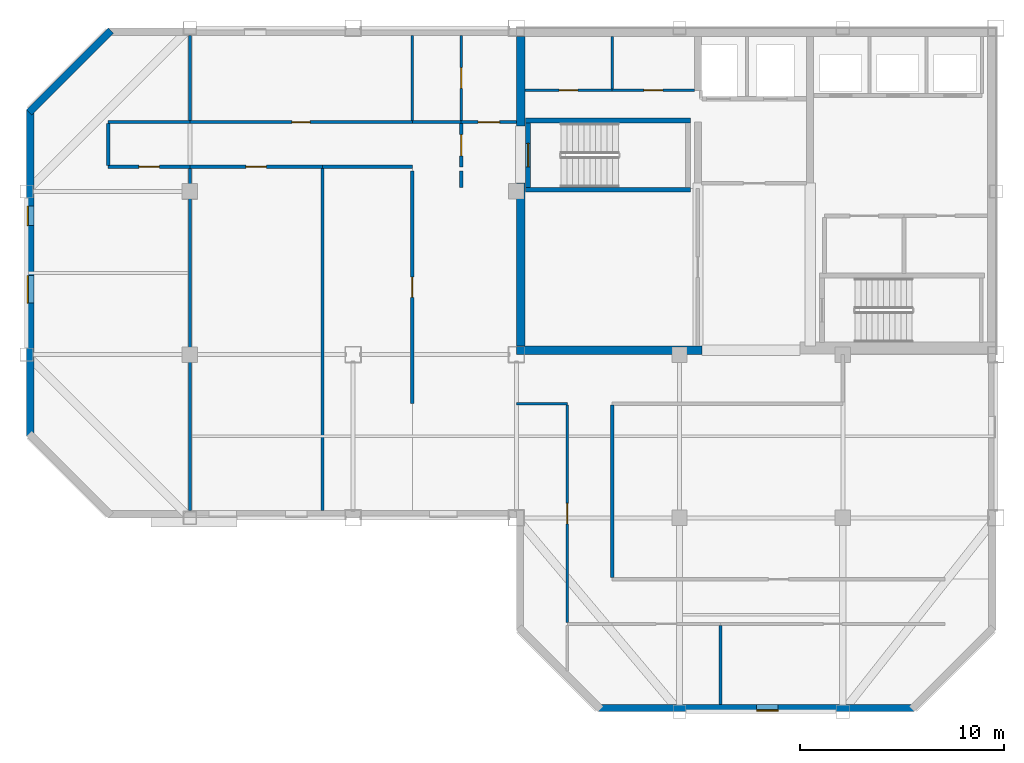
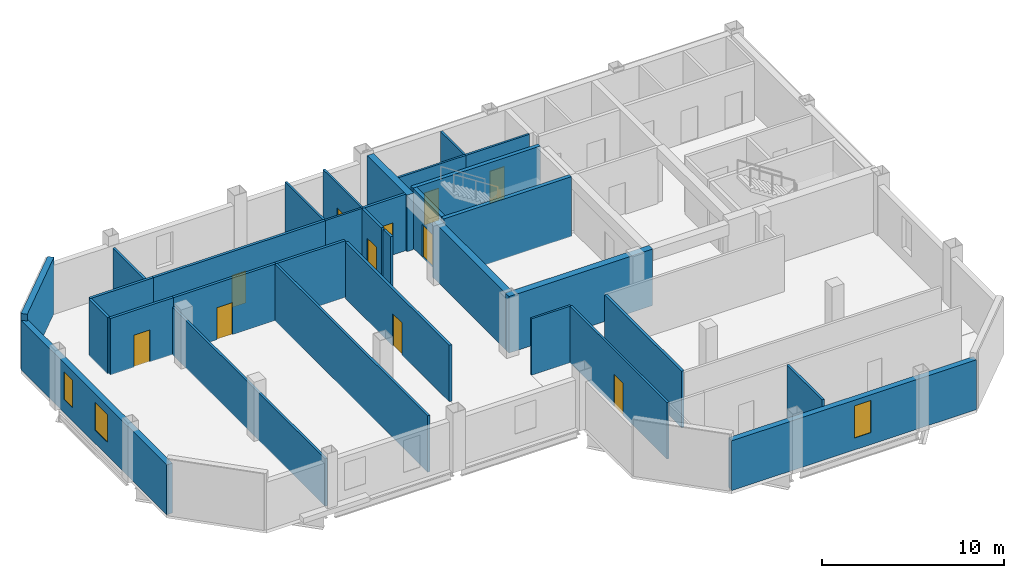
# One storey, part 2 of 7: 32 walls, 11 doors, 3 windows, 14 openings.
"""IFC4 building model written with IfcOpenShell, lengths in metres."""

from ifc_helpers import new_model, si_unit, direction, frame, frame_2d, origin, place, context, subcontext, project, spatial, rectangle, extrude, material, layer, layer_set, type_object, element, fill, save


model = new_model("IFC4")

# Units and contexts
model_context = context("Model", 3, precision=1e-05, world=origin(), true_north=direction((0.0, 1.0)))
body_context = subcontext(model_context, "Body", "Model", "MODEL_VIEW")
ifc_project = project(units=[si_unit("LENGTHUNIT", "METRE"), si_unit("AREAUNIT", "SQUARE_METRE"), si_unit("VOLUMEUNIT", "CUBIC_METRE"), si_unit("PLANEANGLEUNIT", "RADIAN"), si_unit("MASSUNIT", "GRAM", prefix="KILO")], contexts=[model_context])

# Site, building, storey
site_placement = place(None, origin())
site = spatial("IfcSite", under=ifc_project, at=site_placement, CompositionType="ELEMENT")
building_placement = place(site_placement, origin())
building = spatial("IfcBuilding", under=site, at=building_placement, Name="Qianrong Seaharbour Tower", CompositionType="ELEMENT")
storey_placement = place(building_placement, frame((0.0, 0.0, 315.199951171875)))
storey = spatial("IfcBuildingStorey", under=building, at=storey_placement, Name="L76", CompositionType="ELEMENT", Elevation=315.199951171875)

# Walls
ifc_material_1 = material(Name="Concrete C50/60", Category="concrete")
ifc_layer_1 = layer(ifc_material_1, 0.419921875)
ifc_layer_set_1 = layer_set([ifc_layer_1], Name="Concrete C50/60")
wall_type_1 = type_object("IfcWallType", Name="WALL-CORE-420", PredefinedType="SHEAR", material=ifc_layer_set_1)
wall_1_placement = place(storey_placement, frame((40.7099609375, 36.419921875, 0.0), z_axis=(0.0, 0.0, 1.0), x_axis=(0.0, 1.0, 0.0)))
element("IfcWall", 1, at=wall_1_placement, inside=storey, type_object=wall_type_1, Name="L76 West Core Shear Wall South", PredefinedType="SHEAR", context=body_context, shape_type="SweptSolid", body=[
    extrude(rectangle(XDim=7.97998046875, YDim=0.419921875, at=frame_2d((3.989990234375, 0.0))), origin(), (0.0, 0.0, 1.0), 3.78515625),
])
wall_2_placement = place(storey_placement, frame((40.7099609375, 47.199951171875, 0.0), z_axis=(0.0, 0.0, 1.0), x_axis=(0.0, 1.0, 0.0)))
element("IfcWall", 2, at=wall_2_placement, inside=storey, type_object=wall_type_1, Name="L76 West Core Shear Wall North", PredefinedType="SHEAR", context=body_context, shape_type="SweptSolid", body=[
    extrude(rectangle(XDim=4.380126953125, YDim=0.419921875, at=frame_2d((2.18994140625, 0.0))), origin(), (0.0, 0.0, 1.0), 3.78515625),
])
wall_3_placement = place(storey_placement, frame((40.5, 36.2099609375, 0.0), z_axis=(0.0, 0.0, 1.0), x_axis=(1.0, 0.0, 0.0)))
element("IfcWall", 3, at=wall_3_placement, inside=storey, type_object=wall_type_1, Name="L76 South Core Shear Wall S1", PredefinedType="SHEAR", context=body_context, shape_type="SweptSolid", body=[
    extrude(rectangle(XDim=9.10009765625, YDim=0.419921875, at=frame_2d((4.550048828125, 0.0))), origin(), (0.0, 0.0, 1.0), 3.78515625),
])

# Wall, opening, door
ifc_material_2 = material(Name="Fire-rated acoustic gypsum board partition")
ifc_layer_2 = layer(ifc_material_2, 0.1650390625)
ifc_layer_set_2 = layer_set([ifc_layer_2], Name="Fire-rated acoustic gypsum board partition")
wall_type_2 = type_object("IfcWallType", Name="WALL-CORR-PART-165", PredefinedType="PARTITIONING", material=ifc_layer_set_2)
wall_4_placement = place(storey_placement, frame((37.800048828125, 47.39990234375, 0.0), z_axis=(0.0, 0.0, 1.0), x_axis=(1.0, 0.0, 0.0)))
wall_4 = element("IfcWall", 4, at=wall_4_placement, inside=storey, type_object=wall_type_2, Name="L76 Interior Partition Wall 001", PredefinedType="PARTITIONING", context=body_context, shape_type="SweptSolid", body=[
    extrude(rectangle(XDim=2.699951171875, YDim=0.1650390625, at=frame_2d((1.35009765625, 0.0))), origin(), (0.0, 0.0, 1.0), 3.78515625),
])
opening_1_placement = place(wall_4_placement, frame((0.824951171875, 0.0, 0.0)))
opening_1 = element("IfcOpeningElement", 5, at=opening_1_placement, cuts=wall_4, Name="Opening DC-01", PredefinedType="OPENING", context=body_context, shape_type="SweptSolid", body=[
    extrude(rectangle(XDim=1.050048828125, YDim=2.14990234375, at=frame_2d((0.52490234375, 1.074951171875))), frame((0.0, 0.092529296875, 0.0), z_axis=(0.0, -1.0, 0.0), x_axis=(1.0, 0.0, 0.0)), (0.0, 0.0, 1.0), 0.18505859375),
])
ifc_material_3 = material(Name="Acoustic timber and galvanized steel fire door assembly", Category="steel")
door_type_1 = type_object("IfcDoorType", Name="DOOR-CORR-FD60-1050x2150", OperationType="NOTDEFINED", PredefinedType="DOOR", material=ifc_material_3)
door_1_placement = place(opening_1_placement, origin())
door_1 = element("IfcDoor", 6, at=door_1_placement, inside=storey, type_object=door_type_1, Name="L76 Smokeproof Stair Vestibule ST-1 Door", OperationType="SINGLE_SWING_RIGHT", OverallHeight=2.14990234375, OverallWidth=1.050048828125, PredefinedType="DOOR", context=body_context, shape_type="SweptSolid", body=[
    extrude(rectangle(XDim=1.050048828125, YDim=2.14990234375, at=frame_2d((0.52490234375, 1.074951171875))), frame((0.0, 0.02490234375, 0.0), z_axis=(0.0, -1.0, 0.0), x_axis=(1.0, 0.0, 0.0)), (0.0, 0.0, 1.0), 0.050048828125),
])
fill(opening_1, door_1)

wall_5_placement = place(storey_placement, frame((37.800048828125, 45.199951171875, 0.0), z_axis=(0.0, 0.0, 1.0), x_axis=(0.0, 1.0, 0.0)))
wall_5 = element("IfcWall", 7, at=wall_5_placement, inside=storey, type_object=wall_type_2, Name="L76 Interior Partition Wall 002", PredefinedType="PARTITIONING", context=body_context, shape_type="SweptSolid", body=[
    extrude(rectangle(XDim=2.12548828125, YDim=0.1650390625, at=frame_2d((1.062744140625, 0.0))), origin(), (0.0, 0.0, 1.0), 3.78515625),
])
opening_2_placement = place(wall_5_placement, frame((0.537841796875, 0.0, 0.0)))
opening_2 = element("IfcOpeningElement", 8, at=opening_2_placement, cuts=wall_5, Name="Opening DC-01", PredefinedType="OPENING", context=body_context, shape_type="SweptSolid", body=[
    extrude(rectangle(XDim=1.050048828125, YDim=2.14990234375, at=frame_2d((0.52490234375, 1.074951171875))), frame((0.0, 0.092529296875, 0.0), z_axis=(0.0, -1.0, 0.0), x_axis=(1.0, 0.0, 0.0)), (0.0, 0.0, 1.0), 0.18505859375),
])
door_2_placement = place(opening_2_placement, origin())
door_2 = element("IfcDoor", 9, at=door_2_placement, inside=storey, type_object=door_type_1, Name="L76 Smokeproof Stair Vestibule ST-1 Door", OperationType="SINGLE_SWING_LEFT", OverallHeight=2.14990234375, OverallWidth=1.050048828125, PredefinedType="DOOR", context=body_context, shape_type="SweptSolid", body=[
    extrude(rectangle(XDim=1.050048828125, YDim=2.14990234375, at=frame_2d((0.52490234375, 1.074951171875))), frame((0.0, 0.02490234375, 0.0), z_axis=(0.0, -1.0, 0.0), x_axis=(1.0, 0.0, 0.0)), (0.0, 0.0, 1.0), 0.050048828125),
])
fill(opening_2, door_2)

# Wall
wall_6_placement = place(storey_placement, frame((37.800048828125, 44.199951171875, 0.0), z_axis=(0.0, 0.0, 1.0), x_axis=(0.0, 1.0, 0.0)))
element("IfcWall", 10, at=wall_6_placement, inside=storey, type_object=wall_type_2, Name="L76 Interior Partition Wall 003", PredefinedType="PARTITIONING", context=body_context, shape_type="SweptSolid", body=[
    extrude(rectangle(XDim=0.800048828125, YDim=0.1650390625, at=frame_2d((0.39990234375, 0.0))), origin(), (0.0, 0.0, 1.0), 3.78515625),
])

# Wall, opening, door
wall_7_placement = place(storey_placement, frame((24.5, 45.199951171875, 0.0), z_axis=(0.0, 0.0, 1.0), x_axis=(-1.0, 0.0, 0.0)))
wall_7 = element("IfcWall", 11, at=wall_7_placement, inside=storey, type_object=wall_type_2, Name="L76 Interior Partition Wall 016", PredefinedType="PARTITIONING", context=body_context, shape_type="SweptSolid", body=[
    extrude(rectangle(XDim=4.0, YDim=0.1650390625, at=frame_2d((2.0, 0.0))), origin(), (0.0, 0.0, 1.0), 3.78515625),
])
opening_3_placement = place(wall_7_placement, frame((1.5, 0.0, 0.0)))
opening_3 = element("IfcOpeningElement", 12, at=opening_3_placement, cuts=wall_7, Name="Opening DO-01", PredefinedType="OPENING", context=body_context, shape_type="SweptSolid", body=[
    extrude(rectangle(XDim=1.0, YDim=2.14990234375, at=frame_2d((0.5, 1.074951171875))), frame((0.0, 0.092529296875, 0.0), z_axis=(0.0, -1.0, 0.0), x_axis=(1.0, 0.0, 0.0)), (0.0, 0.0, 1.0), 0.18505859375),
])
door_type_2 = type_object("IfcDoorType", Name="DOOR-OFFICE-1000x2150", OperationType="NOTDEFINED", PredefinedType="DOOR", material=ifc_material_3)
door_3_placement = place(opening_3_placement, origin())
door_3 = element("IfcDoor", 13, at=door_3_placement, inside=storey, type_object=door_type_2, Name="L76 West Harbour Open-Plan Office Door", OperationType="SINGLE_SWING_RIGHT", OverallHeight=2.14990234375, OverallWidth=1.0, PredefinedType="DOOR", context=body_context, shape_type="SweptSolid", body=[
    extrude(rectangle(XDim=1.0, YDim=2.14990234375, at=frame_2d((0.5, 1.074951171875))), frame((0.0, 0.02490234375, 0.0), z_axis=(0.0, -1.0, 0.0), x_axis=(1.0, 0.0, 0.0)), (0.0, 0.0, 1.0), 0.050048828125),
])
fill(opening_3, door_3)

# Walls
wall_8_placement = place(storey_placement, frame((20.5, 45.2744140625, 0.0), z_axis=(0.0, 0.0, 1.0), x_axis=(0.0, 1.0, 0.0)))
element("IfcWall", 14, at=wall_8_placement, inside=storey, type_object=wall_type_2, Name="L76 Interior Partition Wall 017", PredefinedType="PARTITIONING", context=body_context, shape_type="SweptSolid", body=[
    extrude(rectangle(XDim=2.051025390625, YDim=0.1650390625, at=frame_2d((1.025390625, 0.0))), origin(), (0.0, 0.0, 1.0), 3.78515625),
])
wall_9_placement = place(storey_placement, frame((20.5, 47.39990234375, 0.0), z_axis=(0.0, 0.0, 1.0), x_axis=(1.0, 0.0, 0.0)))
element("IfcWall", 15, at=wall_9_placement, inside=storey, type_object=wall_type_2, Name="L76 Interior Partition Wall 018", PredefinedType="PARTITIONING", context=body_context, shape_type="SweptSolid", body=[
    extrude(rectangle(XDim=4.0, YDim=0.1650390625, at=frame_2d((2.0, 0.0))), origin(), (0.0, 0.0, 1.0), 3.78515625),
])

# Wall, opening, door
wall_10_placement = place(storey_placement, frame((24.5, 47.39990234375, 0.0), z_axis=(0.0, 0.0, 1.0), x_axis=(1.0, 0.0, 0.0)))
wall_10 = element("IfcWall", 16, at=wall_10_placement, inside=storey, type_object=wall_type_2, Name="L76 Interior Partition Wall 019", PredefinedType="PARTITIONING", context=body_context, shape_type="SweptSolid", body=[
    extrude(rectangle(XDim=10.89990234375, YDim=0.1650390625, at=frame_2d((5.449951171875, 0.0))), origin(), (0.0, 0.0, 1.0), 3.78515625),
])
opening_4_placement = place(wall_10_placement, frame((5.0, 0.0, 0.0)))
opening_4 = element("IfcOpeningElement", 17, at=opening_4_placement, cuts=wall_10, Name="Opening DS-01", PredefinedType="OPENING", context=body_context, shape_type="SweptSolid", body=[
    extrude(rectangle(XDim=0.89990234375, YDim=2.14990234375, at=frame_2d((0.449951171875, 1.074951171875))), frame((0.0, 0.092529296875, 0.0), z_axis=(0.0, -1.0, 0.0), x_axis=(1.0, 0.0, 0.0)), (0.0, 0.0, 1.0), 0.18505859375),
])
door_type_3 = type_object("IfcDoorType", Name="DOOR-STORE-900x2150", OperationType="NOTDEFINED", PredefinedType="DOOR", material=ifc_material_3)
door_4_placement = place(opening_4_placement, origin())
door_4 = element("IfcDoor", 18, at=door_4_placement, inside=storey, type_object=door_type_3, Name="L76 Corporate Archive Room Door", OperationType="SINGLE_SWING_LEFT", OverallHeight=2.14990234375, OverallWidth=0.89990234375, PredefinedType="DOOR", context=body_context, shape_type="SweptSolid", body=[
    extrude(rectangle(XDim=0.89990234375, YDim=2.14990234375, at=frame_2d((0.449951171875, 1.074951171875))), frame((0.0, 0.02490234375, 0.0), z_axis=(0.0, -1.0, 0.0), x_axis=(1.0, 0.0, 0.0)), (0.0, 0.0, 1.0), 0.050048828125),
])
fill(opening_4, door_4)

wall_11_placement = place(storey_placement, frame((31.0, 45.199951171875, 0.0), z_axis=(0.0, 0.0, 1.0), x_axis=(-1.0, 0.0, 0.0)))
wall_11 = element("IfcWall", 19, at=wall_11_placement, inside=storey, type_object=wall_type_2, Name="L76 Interior Partition Wall 020", PredefinedType="PARTITIONING", context=body_context, shape_type="SweptSolid", body=[
    extrude(rectangle(XDim=6.5, YDim=0.1650390625, at=frame_2d((3.25, 0.0))), origin(), (0.0, 0.0, 1.0), 3.78515625),
])
opening_5_placement = place(wall_11_placement, frame((2.75, 0.0, 0.0)))
opening_5 = element("IfcOpeningElement", 20, at=opening_5_placement, cuts=wall_11, Name="Opening DO-01", PredefinedType="OPENING", context=body_context, shape_type="SweptSolid", body=[
    extrude(rectangle(XDim=1.0, YDim=2.14990234375, at=frame_2d((0.5, 1.074951171875))), frame((0.0, 0.092529296875, 0.0), z_axis=(0.0, -1.0, 0.0), x_axis=(1.0, 0.0, 0.0)), (0.0, 0.0, 1.0), 0.18505859375),
])
door_5_placement = place(opening_5_placement, origin())
door_5 = element("IfcDoor", 21, at=door_5_placement, inside=storey, type_object=door_type_2, Name="L76 Project Library 1 Door", OperationType="SINGLE_SWING_RIGHT", OverallHeight=2.14990234375, OverallWidth=1.0, PredefinedType="DOOR", context=body_context, shape_type="SweptSolid", body=[
    extrude(rectangle(XDim=1.0, YDim=2.14990234375, at=frame_2d((0.5, 1.074951171875))), frame((0.0, 0.02490234375, 0.0), z_axis=(0.0, -1.0, 0.0), x_axis=(1.0, 0.0, 0.0)), (0.0, 0.0, 1.0), 0.050048828125),
])
fill(opening_5, door_5)

# Wall
wall_12_placement = place(storey_placement, frame((35.39990234375, 45.199951171875, 0.0), z_axis=(0.0, 0.0, 1.0), x_axis=(-1.0, 0.0, 0.0)))
element("IfcWall", 22, at=wall_12_placement, inside=storey, type_object=wall_type_2, Name="L76 Interior Partition Wall 021", PredefinedType="PARTITIONING", context=body_context, shape_type="SweptSolid", body=[
    extrude(rectangle(XDim=4.39990234375, YDim=0.1650390625, at=frame_2d((2.199951171875, 0.0))), origin(), (0.0, 0.0, 1.0), 3.78515625),
])

# Wall, opening, door
wall_13_placement = place(storey_placement, frame((35.39990234375, 33.60009765625, 0.0), z_axis=(0.0, 0.0, 1.0), x_axis=(0.0, 1.0, 0.0)))
wall_13 = element("IfcWall", 23, at=wall_13_placement, inside=storey, type_object=wall_type_2, Name="L76 Interior Partition Wall 022", PredefinedType="PARTITIONING", context=body_context, shape_type="SweptSolid", body=[
    extrude(rectangle(XDim=11.39990234375, YDim=0.1650390625, at=frame_2d((5.699951171875, 0.0))), origin(), (0.0, 0.0, 1.0), 3.78515625),
])
opening_6_placement = place(wall_13_placement, frame((5.199951171875, 0.0, 0.0)))
opening_6 = element("IfcOpeningElement", 24, at=opening_6_placement, cuts=wall_13, Name="Opening DO-01", PredefinedType="OPENING", context=body_context, shape_type="SweptSolid", body=[
    extrude(rectangle(XDim=1.0, YDim=2.14990234375, at=frame_2d((0.5, 1.074951171875))), frame((0.0, 0.092529296875, 0.0), z_axis=(0.0, -1.0, 0.0), x_axis=(1.0, 0.0, 0.0)), (0.0, 0.0, 1.0), 0.18505859375),
])
door_6_placement = place(opening_6_placement, origin())
door_6 = element("IfcDoor", 25, at=door_6_placement, inside=storey, type_object=door_type_2, Name="L76 Digital Media Hall 2 Door", OperationType="SINGLE_SWING_LEFT", OverallHeight=2.14990234375, OverallWidth=1.0, PredefinedType="DOOR", context=body_context, shape_type="SweptSolid", body=[
    extrude(rectangle(XDim=1.0, YDim=2.14990234375, at=frame_2d((0.5, 1.074951171875))), frame((0.0, 0.02490234375, 0.0), z_axis=(0.0, -1.0, 0.0), x_axis=(1.0, 0.0, 0.0)), (0.0, 0.0, 1.0), 0.050048828125),
])
fill(opening_6, door_6)

# Wall
wall_14_placement = place(storey_placement, frame((45.199951171875, 33.525390625, 0.0), z_axis=(0.0, 0.0, 1.0), x_axis=(0.0, -1.0, 0.0)))
element("IfcWall", 26, at=wall_14_placement, inside=storey, type_object=wall_type_2, Name="L76 Interior Partition Wall 026", PredefinedType="PARTITIONING", context=body_context, shape_type="SweptSolid", body=[
    extrude(rectangle(XDim=8.450927734375, YDim=0.1650390625, at=frame_2d((4.2255859375, 0.0))), origin(), (0.0, 0.0, 1.0), 3.78515625),
])

# Wall, openings, windows
ifc_material_4 = material(Name="Unitised red brick on Precast concrete C45/55", Category="masonry")
ifc_layer_3 = layer(ifc_material_4, 0.360107421875)
ifc_layer_set_3 = layer_set([ifc_layer_3], Name="Unitised red brick on Precast concrete C45/55")
wall_type_3 = type_object("IfcWallType", Name="WALL-EXT-BRICK-RED-360", PredefinedType="SOLIDWALL", material=ifc_layer_set_3)
wall_15_placement = place(storey_placement, frame((16.679931640625, 32.0, 0.0), z_axis=(0.0, 0.0, 1.0), x_axis=(0.0, 1.0, 0.0)))
wall_15 = element("IfcWall", 27, at=wall_15_placement, inside=storey, type_object=wall_type_3, Name="L76 Exterior Masonry Facade Wall WEST_TIP", PredefinedType="SOLIDWALL", context=body_context, shape_type="SweptSolid", body=[
    extrude(rectangle(XDim=16.0, YDim=0.360107421875, at=frame_2d((8.0, 0.0))), origin(), (0.0, 0.0, 1.0), 3.3349609375),
])
opening_7_placement = place(wall_15_placement, frame((6.52490234375, 0.0, 0.89990234375)))
opening_7 = element("IfcOpeningElement", 28, at=opening_7_placement, cuts=wall_15, Name="Opening WN-02", PredefinedType="OPENING", context=body_context, shape_type="SweptSolid", body=[
    extrude(rectangle(XDim=1.35009765625, YDim=1.85009765625, at=frame_2d((0.675048828125, 0.925048828125))), frame((0.0, 0.18994140625, 0.0), z_axis=(0.0, -1.0, 0.0), x_axis=(1.0, 0.0, 0.0)), (0.0, 0.0, 1.0), 0.380126953125),
])
opening_8_placement = place(wall_15_placement, frame((10.324951171875, 0.0, 0.89990234375)))
opening_8 = element("IfcOpeningElement", 29, at=opening_8_placement, cuts=wall_15, Name="Opening WN-13", PredefinedType="OPENING", context=body_context, shape_type="SweptSolid", body=[
    extrude(rectangle(XDim=0.949951171875, YDim=1.85009765625, at=frame_2d((0.47509765625, 0.925048828125))), frame((0.0, 0.18994140625, 0.0), z_axis=(0.0, -1.0, 0.0), x_axis=(1.0, 0.0, 0.0)), (0.0, 0.0, 1.0), 0.380126953125),
])
ifc_material_5 = material(Name="Insulated low-e double glazing in thermally broken aluminium 6063-T6 frame", Category="aluminium")
window_type_1 = type_object("IfcWindowType", Name="WIN-NARROW-950x1850", PartitioningType="SINGLE_PANEL", PredefinedType="WINDOW", material=ifc_material_5)
window_1_placement = place(opening_8_placement, origin())
window_1 = element("IfcWindow", 30, at=window_1_placement, inside=storey, type_object=window_type_1, Name="L76 Deep-Set Punched Window 03.03", OverallHeight=1.85009765625, OverallWidth=0.949951171875, PartitioningType="SINGLE_PANEL", PredefinedType="WINDOW", context=body_context, shape_type="SweptSolid", body=[
    extrude(rectangle(XDim=0.949951171875, YDim=1.85009765625, at=frame_2d((0.47509765625, 0.925048828125))), frame((0.0, 0.150146484375, 0.0), z_axis=(0.0, -1.0, 0.0), x_axis=(1.0, 0.0, 0.0)), (0.0, 0.0, 1.0), 0.06005859375),
])
fill(opening_8, window_1)
window_type_2 = type_object("IfcWindowType", Name="WIN-PUNCH-1350x1850", PartitioningType="DOUBLE_PANEL_VERTICAL", PredefinedType="WINDOW", material=ifc_material_5)
window_2_placement = place(opening_7_placement, origin())
window_2 = element("IfcWindow", 31, at=window_2_placement, inside=storey, type_object=window_type_2, Name="L76 Deep-Set Punched Window 03.02", OverallHeight=1.85009765625, OverallWidth=1.35009765625, PartitioningType="DOUBLE_PANEL_VERTICAL", PredefinedType="WINDOW", context=body_context, shape_type="SweptSolid", body=[
    extrude(rectangle(XDim=1.35009765625, YDim=1.85009765625, at=frame_2d((0.675048828125, 0.925048828125))), frame((0.0, 0.150146484375, 0.0), z_axis=(0.0, -1.0, 0.0), x_axis=(1.0, 0.0, 0.0)), (0.0, 0.0, 1.0), 0.06005859375),
])
fill(opening_7, window_2)

# Wall
wall_16_placement = place(storey_placement, frame((16.627197265625, 47.872802734375, 0.0), z_axis=(0.0, 0.0, 1.0), x_axis=(0.707106781187, 0.707106781187, 0.0)))
element("IfcWall", 32, at=wall_16_placement, inside=storey, type_object=wall_type_3, Name="L76 Exterior Masonry Facade Wall E04", PredefinedType="SOLIDWALL", context=body_context, shape_type="SweptSolid", body=[
    extrude(rectangle(XDim=5.65673828125, YDim=0.360107421875, at=frame_2d((2.828369140625, 0.0))), origin(), (0.0, 0.0, 1.0), 3.78515625),
])

# Wall, opening, window
wall_17_placement = place(storey_placement, frame((60.0, 18.679931640625, 0.0), z_axis=(0.0, 0.0, 1.0), x_axis=(-1.0, 0.0, 0.0)))
wall_17 = element("IfcWall", 33, at=wall_17_placement, inside=storey, type_object=wall_type_3, Name="L76 Exterior Masonry Facade Wall SOUTH_TIP", PredefinedType="SOLIDWALL", context=body_context, shape_type="SweptSolid", body=[
    extrude(rectangle(XDim=15.5, YDim=0.360107421875, at=frame_2d((7.75, 0.0))), origin(), (0.0, 0.0, 1.0), 3.3349609375),
])
opening_9_placement = place(wall_17_placement, frame((6.675048828125, 0.0, 0.800048828125)))
opening_9 = element("IfcOpeningElement", 34, at=opening_9_placement, cuts=wall_17, Name="Opening WN-14", PredefinedType="OPENING", context=body_context, shape_type="SweptSolid", body=[
    extrude(rectangle(XDim=1.050048828125, YDim=2.14990234375, at=frame_2d((0.52490234375, 1.074951171875))), frame((0.0, 0.18994140625, 0.0), z_axis=(0.0, -1.0, 0.0), x_axis=(1.0, 0.0, 0.0)), (0.0, 0.0, 1.0), 0.380126953125),
])
window_type_3 = type_object("IfcWindowType", Name="WIN-NARROW-1050x2150", PartitioningType="SINGLE_PANEL", PredefinedType="WINDOW", material=ifc_material_5)
window_3_placement = place(opening_9_placement, origin())
window_3 = element("IfcWindow", 35, at=window_3_placement, inside=storey, type_object=window_type_3, Name="L76 Deep-Set Punched Window 08.02", OverallHeight=2.14990234375, OverallWidth=1.050048828125, PartitioningType="SINGLE_PANEL", PredefinedType="WINDOW", context=body_context, shape_type="SweptSolid", body=[
    extrude(rectangle(XDim=1.050048828125, YDim=2.14990234375, at=frame_2d((0.52490234375, 1.074951171875))), frame((0.0, 0.150146484375, 0.0), z_axis=(0.0, -1.0, 0.0), x_axis=(1.0, 0.0, 0.0)), (0.0, 0.0, 1.0), 0.06005859375),
])
fill(opening_9, window_3)

# Walls
ifc_material_6 = material(Name="Acoustic gypsum board stud partition")
ifc_layer_4 = layer(ifc_material_6, 0.14501953125)
ifc_layer_set_4 = layer_set([ifc_layer_4], Name="Acoustic gypsum board stud partition")
wall_type_4 = type_object("IfcWallType", Name="WALL-OFFICE-PART-145", PredefinedType="PARTITIONING", material=ifc_layer_set_4)
wall_18_placement = place(storey_placement, frame((24.5, 51.64794921875, 0.0), z_axis=(0.0, 0.0, 1.0), x_axis=(0.0, -1.0, 0.0)))
element("IfcWall", 36, at=wall_18_placement, inside=storey, type_object=wall_type_4, Name="L76 Interior Partition Wall 032", PredefinedType="PARTITIONING", context=body_context, shape_type="SweptSolid", body=[
    extrude(rectangle(XDim=4.17333984375, YDim=0.14501953125, at=frame_2d((2.086669921875, 0.0))), origin(), (0.0, 0.0, 1.0), 3.177001953125),
])
wall_19_placement = place(storey_placement, frame((24.5, 45.12548828125, 0.0), z_axis=(0.0, 0.0, 1.0), x_axis=(0.0, -1.0, 0.0)))
element("IfcWall", 37, at=wall_19_placement, inside=storey, type_object=wall_type_4, Name="L76 Interior Partition Wall 033", PredefinedType="PARTITIONING", context=body_context, shape_type="SweptSolid", body=[
    extrude(rectangle(XDim=16.7734375, YDim=0.14501953125, at=frame_2d((8.38671875, 0.0))), origin(), (0.0, 0.0, 1.0), 3.177001953125),
])
wall_20_placement = place(storey_placement, frame((31.0, 45.12548828125, 0.0), z_axis=(0.0, 0.0, 1.0), x_axis=(0.0, -1.0, 0.0)))
element("IfcWall", 38, at=wall_20_placement, inside=storey, type_object=wall_type_4, Name="L76 Interior Partition Wall 034", PredefinedType="PARTITIONING", context=body_context, shape_type="SweptSolid", body=[
    extrude(rectangle(XDim=16.7734375, YDim=0.14501953125, at=frame_2d((8.38671875, 0.0))), origin(), (0.0, 0.0, 1.0), 3.78515625),
])
wall_21_placement = place(storey_placement, frame((50.5, 22.7255859375, 0.0), z_axis=(0.0, 0.0, 1.0), x_axis=(0.0, -1.0, 0.0)))
element("IfcWall", 39, at=wall_21_placement, inside=storey, type_object=wall_type_4, Name="L76 Interior Partition Wall 036", PredefinedType="PARTITIONING", context=body_context, shape_type="SweptSolid", body=[
    extrude(rectangle(XDim=3.87353515625, YDim=0.14501953125, at=frame_2d((1.936767578125, 0.0))), origin(), (0.0, 0.0, 1.0), 3.78515625),
])
ifc_layer_5 = layer(ifc_material_1, 0.239990234375)
ifc_layer_set_5 = layer_set([ifc_layer_5], Name="Concrete C50/60")
wall_type_5 = type_object("IfcWallType", Name="WALL-SHAFT-RC240", PredefinedType="SOLIDWALL", material=ifc_layer_set_5)
for number, where, z_axis, x_axis, name in (
    (40, (40.9599609375, 47.469970703125, 0.0), (0.0, 0.0, 1.0), (1.0, 0.0, 0.0), "L76 ST-1 Structural Stair Core Wall N"),
    (41, (49.0400390625, 44.080078125, 0.0), (0.0, 0.0, 1.0), (-1.0, 0.0, 0.0), "L76 ST-1 Structural Stair Core Wall S"),
):
    element("IfcWall", number, at=place(storey_placement, frame(where, z_axis=z_axis, x_axis=x_axis)), inside=storey, type_object=wall_type_5, Name=name, PredefinedType="SOLIDWALL", context=body_context, shape_type="SweptSolid", body=[
        extrude(rectangle(XDim=8.080078125, YDim=0.239990234375, at=frame_2d((4.0400390625, 0.0))), origin(), (0.0, 0.0, 1.0), 4.0),
    ])

# Wall, opening, door
wall_22_placement = place(storey_placement, frame((41.080078125, 47.35009765625, 0.0), z_axis=(0.0, 0.0, 1.0), x_axis=(0.0, -1.0, 0.0)))
wall_22 = element("IfcWall", 42, at=wall_22_placement, inside=storey, type_object=wall_type_5, Name="L76 ST-1 Structural Stair Core Wall W", PredefinedType="SOLIDWALL", context=body_context, shape_type="SweptSolid", body=[
    extrude(rectangle(XDim=3.150146484375, YDim=0.239990234375, at=frame_2d((1.5751953125, 0.0))), origin(), (0.0, 0.0, 1.0), 4.0),
])
opening_10_placement = place(wall_22_placement, frame((1.0, 0.0, 0.0)))
opening_10 = element("IfcOpeningElement", 43, at=opening_10_placement, cuts=wall_22, Name="Opening SD-01", PredefinedType="OPENING", context=body_context, shape_type="SweptSolid", body=[
    extrude(rectangle(XDim=1.14990234375, YDim=2.199951171875, at=frame_2d((0.574951171875, 1.10009765625))), frame((0.0, 0.1298828125, 0.0), z_axis=(0.0, -1.0, 0.0), x_axis=(1.0, 0.0, 0.0)), (0.0, 0.0, 1.0), 0.260009765625),
])
door_type_4 = type_object("IfcDoorType", Name="DOOR-STAIR-FD60-1150x2200", OperationType="NOTDEFINED", PredefinedType="DOOR", material=ifc_material_3)
door_7_placement = place(opening_10_placement, origin())
door_7 = element("IfcDoor", 44, at=door_7_placement, inside=storey, type_object=door_type_4, Name="L76 ST-1 Protected Stair Door", OperationType="SINGLE_SWING_LEFT", OverallHeight=2.199951171875, OverallWidth=1.14990234375, PredefinedType="DOOR", context=body_context, shape_type="SweptSolid", body=[
    extrude(rectangle(XDim=1.14990234375, YDim=2.199951171875, at=frame_2d((0.574951171875, 1.10009765625))), frame((0.0, 0.02490234375, 0.0), z_axis=(0.0, -1.0, 0.0), x_axis=(1.0, 0.0, 0.0)), (0.0, 0.0, 1.0), 0.050048828125),
])
fill(opening_10, door_7)

ifc_material_7 = material(Name="Water-resistant cement board sanitary partition")
ifc_layer_6 = layer(ifc_material_7, 0.1298828125)
ifc_layer_set_6 = layer_set([ifc_layer_6], Name="Water-resistant cement board sanitary partition")
wall_type_6 = type_object("IfcWallType", Name="WALL-WET-PART-130", PredefinedType="PARTITIONING", material=ifc_layer_set_6)
wall_23_placement = place(storey_placement, frame((37.800048828125, 47.474609375, 0.0), z_axis=(0.0, 0.0, 1.0), x_axis=(0.0, 1.0, 0.0)))
wall_23 = element("IfcWall", 45, at=wall_23_placement, inside=storey, type_object=wall_type_6, Name="L76 Interior Partition Wall 004", PredefinedType="PARTITIONING", context=body_context, shape_type="SweptSolid", body=[
    extrude(rectangle(XDim=4.17333984375, YDim=0.1298828125, at=frame_2d((2.086669921875, 0.0))), origin(), (0.0, 0.0, 1.0), 3.78515625),
])
opening_11_placement = place(wall_23_placement, frame((1.57666015625, 0.0, 0.0)))
opening_11 = element("IfcOpeningElement", 46, at=opening_11_placement, cuts=wall_23, Name="Opening DAW-01", PredefinedType="OPENING", context=body_context, shape_type="SweptSolid", body=[
    extrude(rectangle(XDim=1.02001953125, YDim=2.14990234375, at=frame_2d((0.510009765625, 1.074951171875))), frame((0.0, 0.074951171875, 0.0), z_axis=(0.0, -1.0, 0.0), x_axis=(1.0, 0.0, 0.0)), (0.0, 0.0, 1.0), 0.14990234375),
])
door_type_5 = type_object("IfcDoorType", Name="DOOR-AWC-SLIDE-1020x2150", OperationType="SLIDING_TO_LEFT", PredefinedType="DOOR", material=ifc_material_3)
door_8_placement = place(opening_11_placement, origin())
door_8 = element("IfcDoor", 47, at=door_8_placement, inside=storey, type_object=door_type_5, Name="L76 Accessible Restroom WC Door", OperationType="SLIDING_TO_LEFT", OverallHeight=2.14990234375, OverallWidth=1.02001953125, PredefinedType="DOOR", context=body_context, shape_type="SweptSolid", body=[
    extrude(rectangle(XDim=1.02001953125, YDim=2.14990234375, at=frame_2d((0.510009765625, 1.074951171875))), frame((0.0, 0.02490234375, 0.0), z_axis=(0.0, -1.0, 0.0), x_axis=(1.0, 0.0, 0.0)), (0.0, 0.0, 1.0), 0.050048828125),
])
fill(opening_11, door_8)

# Walls
wall_24_placement = place(storey_placement, frame((37.800048828125, 47.39990234375, 0.0), z_axis=(0.0, 0.0, 1.0), x_axis=(-1.0, 0.0, 0.0)))
element("IfcWall", 48, at=wall_24_placement, inside=storey, type_object=wall_type_6, Name="L76 Interior Partition Wall 005", PredefinedType="PARTITIONING", context=body_context, shape_type="SweptSolid", body=[
    extrude(rectangle(XDim=2.400146484375, YDim=0.1298828125, at=frame_2d((1.2001953125, 0.0))), origin(), (0.0, 0.0, 1.0), 3.78515625),
])
wall_25_placement = place(storey_placement, frame((35.39990234375, 47.474609375, 0.0), z_axis=(0.0, 0.0, 1.0), x_axis=(0.0, 1.0, 0.0)))
element("IfcWall", 49, at=wall_25_placement, inside=storey, type_object=wall_type_6, Name="L76 Interior Partition Wall 006", PredefinedType="PARTITIONING", context=body_context, shape_type="SweptSolid", body=[
    extrude(rectangle(XDim=4.17333984375, YDim=0.1298828125, at=frame_2d((2.086669921875, 0.0))), origin(), (0.0, 0.0, 1.0), 3.78515625),
])

# Wall, opening, door
wall_26_placement = place(storey_placement, frame((40.919921875, 48.949951171875, 0.0), z_axis=(0.0, 0.0, 1.0), x_axis=(1.0, 0.0, 0.0)))
wall_26 = element("IfcWall", 50, at=wall_26_placement, inside=storey, type_object=wall_type_6, Name="L76 Interior Partition Wall 007", PredefinedType="PARTITIONING", context=body_context, shape_type="SweptSolid", body=[
    extrude(rectangle(XDim=4.280029296875, YDim=0.1298828125, at=frame_2d((2.14013671875, 0.0))), origin(), (0.0, 0.0, 1.0), 3.78515625),
])
opening_12_placement = place(wall_26_placement, frame((1.679931640625, 0.0, 0.0)))
opening_12 = element("IfcOpeningElement", 51, at=opening_12_placement, cuts=wall_26, Name="Opening DW-01", PredefinedType="OPENING", context=body_context, shape_type="SweptSolid", body=[
    extrude(rectangle(XDim=0.919921875, YDim=2.14990234375, at=frame_2d((0.4599609375, 1.074951171875))), frame((0.0, 0.074951171875, 0.0), z_axis=(0.0, -1.0, 0.0), x_axis=(1.0, 0.0, 0.0)), (0.0, 0.0, 1.0), 0.14990234375),
])
door_type_6 = type_object("IfcDoorType", Name="DOOR-WC-920x2150", OperationType="NOTDEFINED", PredefinedType="DOOR", material=ifc_material_3)
door_9_placement = place(opening_12_placement, origin())
door_9 = element("IfcDoor", 52, at=door_9_placement, inside=storey, type_object=door_type_6, Name="L76 Male Restroom WC Door", OperationType="SINGLE_SWING_LEFT", OverallHeight=2.14990234375, OverallWidth=0.919921875, PredefinedType="DOOR", context=body_context, shape_type="SweptSolid", body=[
    extrude(rectangle(XDim=0.919921875, YDim=2.14990234375, at=frame_2d((0.4599609375, 1.074951171875))), frame((0.0, 0.02490234375, 0.0), z_axis=(0.0, -1.0, 0.0), x_axis=(1.0, 0.0, 0.0)), (0.0, 0.0, 1.0), 0.050048828125),
])
fill(opening_12, door_9)

wall_27_placement = place(storey_placement, frame((45.199951171875, 48.949951171875, 0.0), z_axis=(0.0, 0.0, 1.0), x_axis=(1.0, 0.0, 0.0)))
wall_27 = element("IfcWall", 53, at=wall_27_placement, inside=storey, type_object=wall_type_6, Name="L76 Interior Partition Wall 008", PredefinedType="PARTITIONING", context=body_context, shape_type="SweptSolid", body=[
    extrude(rectangle(XDim=4.032958984375, YDim=0.1298828125, at=frame_2d((2.0166015625, 0.0))), origin(), (0.0, 0.0, 1.0), 3.78515625),
])
opening_13_placement = place(wall_27_placement, frame((1.556396484375, 0.0, 0.0)))
opening_13 = element("IfcOpeningElement", 54, at=opening_13_placement, cuts=wall_27, Name="Opening DW-01", PredefinedType="OPENING", context=body_context, shape_type="SweptSolid", body=[
    extrude(rectangle(XDim=0.919921875, YDim=2.14990234375, at=frame_2d((0.4599609375, 1.074951171875))), frame((0.0, 0.074951171875, 0.0), z_axis=(0.0, -1.0, 0.0), x_axis=(1.0, 0.0, 0.0)), (0.0, 0.0, 1.0), 0.14990234375),
])
door_10_placement = place(opening_13_placement, origin())
door_10 = element("IfcDoor", 55, at=door_10_placement, inside=storey, type_object=door_type_6, Name="L76 Female Restroom WC Door", OperationType="SINGLE_SWING_RIGHT", OverallHeight=2.14990234375, OverallWidth=0.919921875, PredefinedType="DOOR", context=body_context, shape_type="SweptSolid", body=[
    extrude(rectangle(XDim=0.919921875, YDim=2.14990234375, at=frame_2d((0.4599609375, 1.074951171875))), frame((0.0, 0.02490234375, 0.0), z_axis=(0.0, -1.0, 0.0), x_axis=(1.0, 0.0, 0.0)), (0.0, 0.0, 1.0), 0.050048828125),
])
fill(opening_13, door_10)

# Walls
wall_28_placement = place(storey_placement, frame((45.199951171875, 51.580078125, 0.0), z_axis=(0.0, 0.0, 1.0), x_axis=(0.0, -1.0, 0.0)))
element("IfcWall", 56, at=wall_28_placement, inside=storey, type_object=wall_type_6, Name="L76 Interior Partition Wall 014", PredefinedType="PARTITIONING", context=body_context, shape_type="SweptSolid", body=[
    extrude(rectangle(XDim=2.572998046875, YDim=0.1298828125, at=frame_2d((1.28662109375, 0.0))), origin(), (0.0, 0.0, 1.0), 3.78515625),
])
wall_29_placement = place(storey_placement, frame((43.0, 33.60009765625, 0.0), z_axis=(0.0, 0.0, 1.0), x_axis=(-1.0, 0.0, 0.0)))
element("IfcWall", 57, at=wall_29_placement, inside=storey, type_object=wall_type_6, Name="L76 Interior Partition Wall 025", PredefinedType="PARTITIONING", context=body_context, shape_type="SweptSolid", body=[
    extrude(rectangle(XDim=2.5, YDim=0.1298828125, at=frame_2d((1.25, 0.0))), origin(), (0.0, 0.0, 1.0), 3.78515625),
])

# Wall, opening, door
wall_30_placement = place(storey_placement, frame((43.0, 22.87451171875, 0.0), z_axis=(0.0, 0.0, 1.0), x_axis=(0.0, 1.0, 0.0)))
wall_30 = element("IfcWall", 58, at=wall_30_placement, inside=storey, type_object=wall_type_6, Name="L76 Interior Partition Wall 027", PredefinedType="PARTITIONING", context=body_context, shape_type="SweptSolid", body=[
    extrude(rectangle(XDim=10.66845703125, YDim=0.1298828125, at=frame_2d((5.334228515625, 0.0))), origin(), (0.0, 0.0, 1.0), 3.78515625),
])
opening_14_placement = place(wall_30_placement, frame((4.834228515625, 0.0, 0.0)))
opening_14 = element("IfcOpeningElement", 59, at=opening_14_placement, cuts=wall_30, Name="Opening DO-01", PredefinedType="OPENING", context=body_context, shape_type="SweptSolid", body=[
    extrude(rectangle(XDim=1.0, YDim=2.14990234375, at=frame_2d((0.5, 1.074951171875))), frame((0.0, 0.074951171875, 0.0), z_axis=(0.0, -1.0, 0.0), x_axis=(1.0, 0.0, 0.0)), (0.0, 0.0, 1.0), 0.14990234375),
])
door_11_placement = place(opening_14_placement, origin())
door_11 = element("IfcDoor", 60, at=door_11_placement, inside=storey, type_object=door_type_2, Name="L76 Wet Pantry Door", OperationType="SINGLE_SWING_LEFT", OverallHeight=2.14990234375, OverallWidth=1.0, PredefinedType="DOOR", context=body_context, shape_type="SweptSolid", body=[
    extrude(rectangle(XDim=1.0, YDim=2.14990234375, at=frame_2d((0.5, 1.074951171875))), frame((0.0, 0.02490234375, 0.0), z_axis=(0.0, -1.0, 0.0), x_axis=(1.0, 0.0, 0.0)), (0.0, 0.0, 1.0), 0.050048828125),
])
fill(opening_14, door_11)

save(model, "model.ifc")
